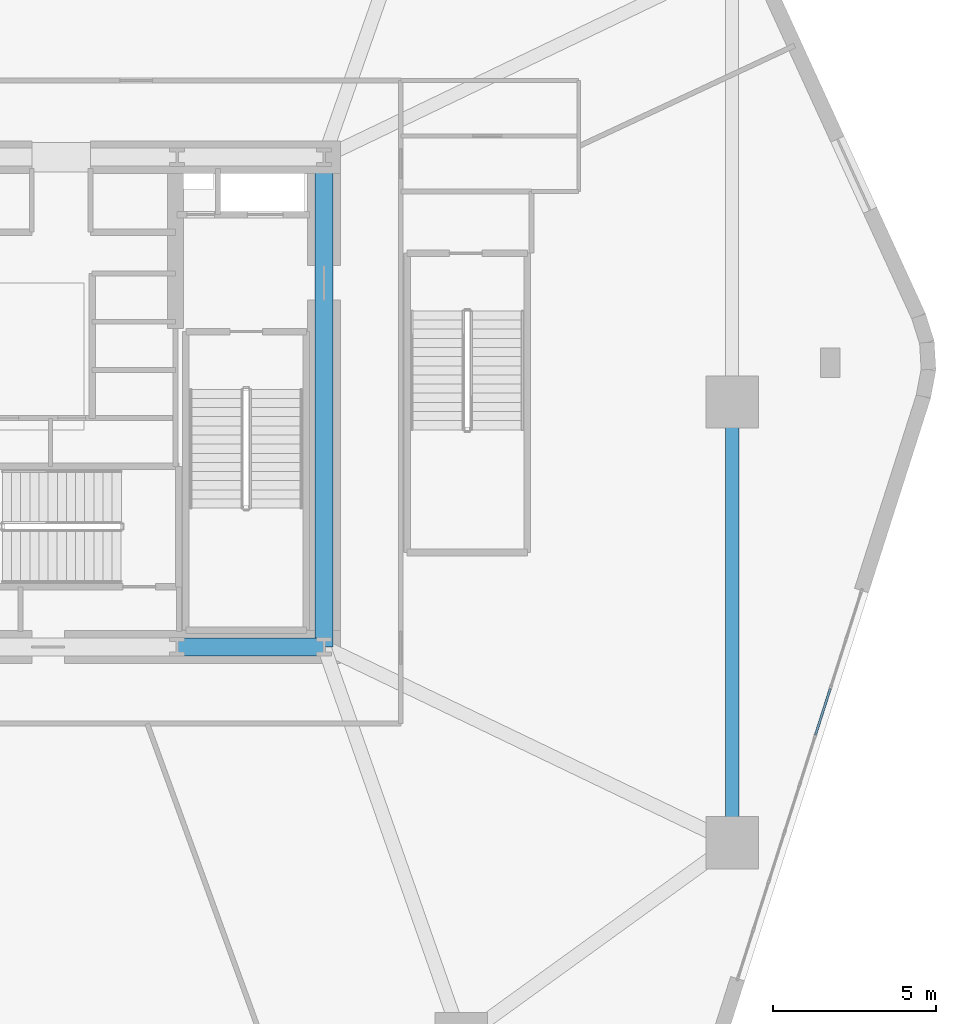
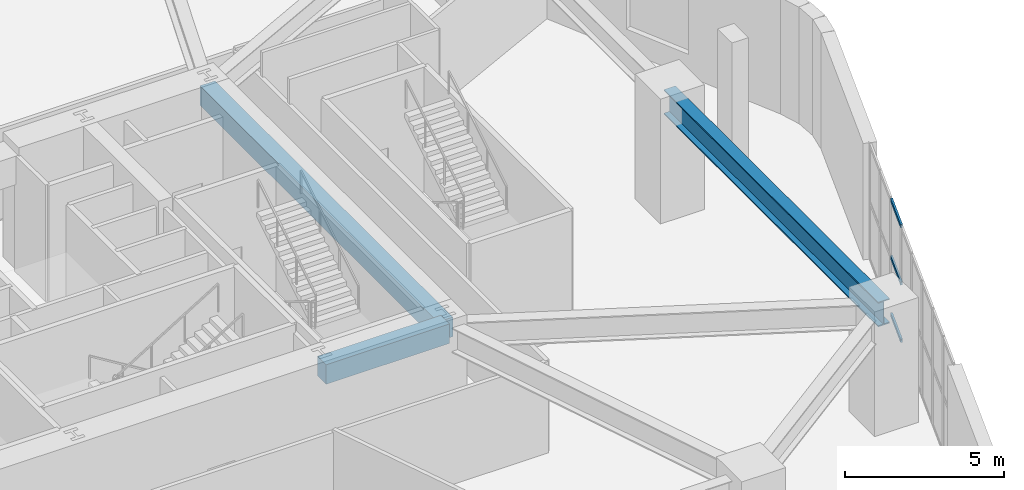
# One storey, part 8 of 15: 3 beams, 3 members, 1 element without a shape of its own.
"""IFC4 building model written with IfcOpenShell, lengths in metres."""

from ifc_helpers import new_model, si_unit, direction, frame, origin, origin_2d, place, context, subcontext, project, spatial, rectangle, hollow_rectangle, i_section, extrude, material, layer, layer_set, material_profile, profile_set, type_object, element, aggregate, save


model = new_model("IFC4")

# Units and contexts
model_context = context("Model", 3, precision=1e-05, world=origin(), true_north=direction((0.0, 1.0)))
body_context = subcontext(model_context, "Body", "Model", "MODEL_VIEW")
ifc_project = project(units=[si_unit("LENGTHUNIT", "METRE"), si_unit("AREAUNIT", "SQUARE_METRE"), si_unit("VOLUMEUNIT", "CUBIC_METRE"), si_unit("PLANEANGLEUNIT", "RADIAN"), si_unit("MASSUNIT", "GRAM", prefix="KILO")], contexts=[model_context])

# Site, building, storey
site_placement = place(None, origin())
site = spatial("IfcSite", under=ifc_project, at=site_placement, CompositionType="ELEMENT")
building_placement = place(site_placement, origin())
building = spatial("IfcBuilding", under=site, at=building_placement, Name="Kilnhurst Terrace Hotel", CompositionType="ELEMENT")
storey_placement = place(building_placement, frame((0.0, 0.0, 23.39990234375)))
storey = spatial("IfcBuildingStorey", under=building, at=storey_placement, Name="L04", CompositionType="ELEMENT", Elevation=23.39990234375)

# Beams
ifc_material_1 = material(Name="Concrete C50/60", Category="concrete")
ifc_material_profile_1 = material_profile(ifc_material_1, rectangle(XDim=0.550048828125, YDim=0.75, at=origin_2d()), Name="RC550X750")
ifc_profile_set_1 = profile_set([ifc_material_profile_1], Name="Concrete C50/60")
beam_type_1 = type_object("IfcBeamType", Name="BM-SPN-550X750", PredefinedType="SPANDREL", material=ifc_profile_set_1)
beam_1_placement = place(storey_placement, frame((4.5, -7.5, 4.10498046875), z_axis=(1.0, 0.0, 0.0), x_axis=(0.0, 1.0, 0.0)))
element("IfcBeam", 1, at=beam_1_placement, inside=storey, type_object=beam_type_1, Name="L04 Core Tie Beam CC-SC2 to CC-SE", PredefinedType="SPANDREL", context=body_context, shape_type="SweptSolid", body=[
    extrude(rectangle(XDim=0.550048828125, YDim=0.75, at=origin_2d()), origin(), (0.0, 0.0, 1.0), 4.5),
])
beam_2_placement = place(storey_placement, frame((9.0, -7.5, 4.10498046875), z_axis=(0.0, 1.0, 0.0), x_axis=(-1.0, 0.0, 0.0)))
element("IfcBeam", 2, at=beam_2_placement, inside=storey, type_object=beam_type_1, Name="L04 Core Tie Beam CC-SE to CC-NE", PredefinedType="SPANDREL", context=body_context, shape_type="SweptSolid", body=[
    extrude(rectangle(XDim=0.550048828125, YDim=0.75, at=origin_2d()), origin(), (0.0, 0.0, 1.0), 15.0),
])
ifc_material_2 = material(Name="Steel ASTM A992 Grade 50", Category="steel")
ifc_material_profile_2 = material_profile(ifc_material_2, i_section(OverallWidth=0.423095703125, OverallDepth=0.9482421875, WebThickness=0.02392578125, FlangeThickness=0.042724609375, at=origin_2d()), Name="W36X302")
ifc_profile_set_2 = profile_set([ifc_material_profile_2], Name="Steel ASTM A992 Grade 50")
beam_type_2 = type_object("IfcBeamType", Name="BM-STL-W36X302", PredefinedType="BEAM", material=ifc_profile_set_2)
beam_3_placement = place(storey_placement, frame((21.5, 0.0, 4.006103515625), z_axis=(0.0, -1.0, 0.0), x_axis=(1.0, 0.0, 0.0)))
element("IfcBeam", 3, at=beam_3_placement, inside=storey, type_object=beam_type_2, Name="L04 Podium Frame Beam 8", PredefinedType="BEAM", context=body_context, shape_type="SweptSolid", body=[
    extrude(i_section(OverallWidth=0.423095703125, OverallDepth=0.9482421875, WebThickness=0.02392578125, FlangeThickness=0.042724609375, at=origin_2d()), origin(), (0.0, 0.0, 1.0), 13.5),
])

# Curtain wall, members
ifc_material_3 = material(Name="Anodized Aluminium Alloy 6063-T6 and Low-E Glass", Category="aluminium")
ifc_layer = layer(ifc_material_3, 0.219970703125, Name="Anodized Aluminium Alloy 6063-T6 and Low-E Glass")
ifc_layer_set = layer_set([ifc_layer], Name="Anodized Aluminium Alloy 6063-T6 and Low-E Glass")
curtain_wall_type = type_object("IfcCurtainWallType", Name="CW-POD-TERR", PredefinedType="NOTDEFINED", material=ifc_layer_set)
curtain_wall_placement = place(storey_placement, origin())
curtain_wall = element("IfcCurtainWall", 4, at=curtain_wall_placement, inside=storey, type_object=curtain_wall_type, Name="L04 Curtain Wall CW-L04-F2-1", PredefinedType="NOTDEFINED")
ifc_material_4 = material(Name="Extruded Aluminium Alloy 6063-T6", Category="aluminium")
ifc_material_profile_3 = material_profile(ifc_material_4, hollow_rectangle(XDim=0.070068359375, YDim=0.135009765625, WallThickness=0.00390625, at=origin_2d()), Name="CWT70X135")
ifc_profile_set_3 = profile_set([ifc_material_profile_3], Name="Extruded Aluminium Alloy 6063-T6")
member_type = type_object("IfcMemberType", Name="MEM-CWT70X135", PredefinedType="USERDEFINED", material=ifc_profile_set_3)
member_1_placement = place(storey_placement, frame((24.0498046875, -10.1982421875, 0.03515625), z_axis=(0.304008527603, 0.952669310488, 0.0), x_axis=(-0.952669310488, 0.304008527603, 0.0)))
member_1 = element("IfcMember", 5, at=member_1_placement, type_object=member_type, Name="CWT-2 transom 6.1", ObjectType="TRANSOM", PredefinedType="USERDEFINED", context=body_context, shape_type="SweptSolid", body=[
    extrude(hollow_rectangle(XDim=0.070068359375, YDim=0.135009765625, WallThickness=0.00390625, at=origin_2d()), origin(), (0.0, 0.0, 1.0), 1.48974609375),
])
member_2_placement = place(storey_placement, frame((24.0498046875, -10.1982421875, 2.239990234375), z_axis=(0.304008527603, 0.952669310488, 0.0), x_axis=(-0.952669310488, 0.304008527603, 0.0)))
member_2 = element("IfcMember", 6, at=member_2_placement, type_object=member_type, Name="CWT-2 transom 6.2", ObjectType="TRANSOM", PredefinedType="USERDEFINED", context=body_context, shape_type="SweptSolid", body=[
    extrude(hollow_rectangle(XDim=0.070068359375, YDim=0.135009765625, WallThickness=0.00390625, at=origin_2d()), origin(), (0.0, 0.0, 1.0), 1.48974609375),
])
member_3_placement = place(storey_placement, frame((24.0498046875, -10.1982421875, 4.445068359375), z_axis=(0.304008527603, 0.952669310488, 0.0), x_axis=(-0.952669310488, 0.304008527603, 0.0)))
member_3 = element("IfcMember", 7, at=member_3_placement, type_object=member_type, Name="CWT-2 transom 6.3", ObjectType="TRANSOM", PredefinedType="USERDEFINED", context=body_context, shape_type="SweptSolid", body=[
    extrude(hollow_rectangle(XDim=0.070068359375, YDim=0.135009765625, WallThickness=0.00390625, at=origin_2d()), origin(), (0.0, 0.0, 1.0), 1.48974609375),
])
aggregate(curtain_wall, [member_1, member_2, member_3])

save(model, "model.ifc")
